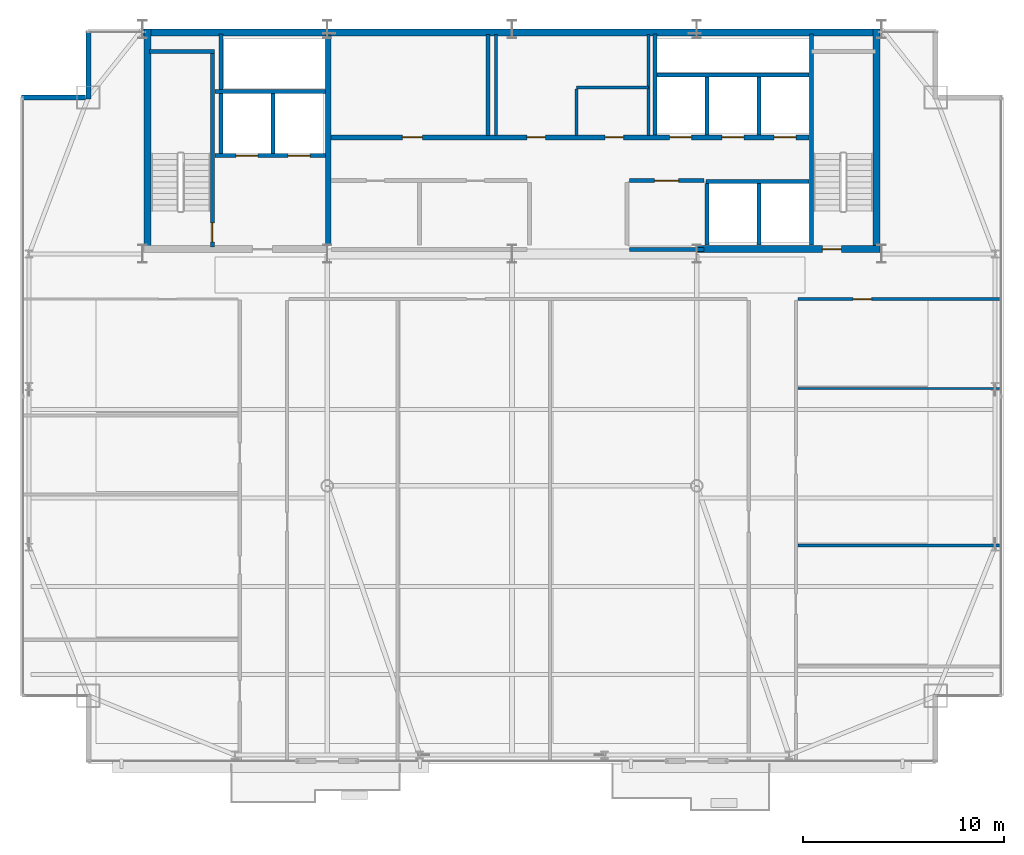
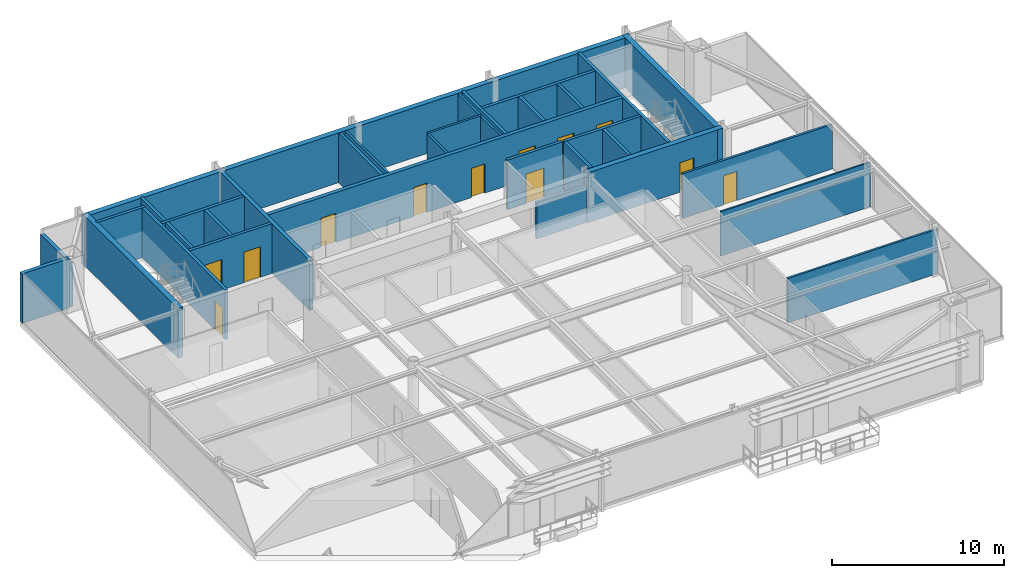
# One storey, part 27 of 30: 32 walls, 12 doors, 12 openings.
"""IFC4 building model written with IfcOpenShell, lengths in metres."""

from ifc_helpers import new_model, si_unit, direction, frame, frame_2d, origin, place, context, subcontext, project, spatial, rectangle, extrude, source, transform, mapped, material, layer, layer_set, type_object, type_shapes, element, fill, save


model = new_model("IFC4")

# Units and contexts
model_context = context("Model", 3, precision=1e-05, world=origin(), true_north=direction((0.0, 1.0)))
body_context = subcontext(model_context, "Body", "Model", "MODEL_VIEW")
ifc_project = project(units=[si_unit("LENGTHUNIT", "METRE"), si_unit("AREAUNIT", "SQUARE_METRE"), si_unit("VOLUMEUNIT", "CUBIC_METRE"), si_unit("PLANEANGLEUNIT", "RADIAN"), si_unit("MASSUNIT", "GRAM", prefix="KILO")], contexts=[model_context])

# Site, building, storey
site_placement = place(None, origin())
site = spatial("IfcSite", under=ifc_project, at=site_placement, CompositionType="ELEMENT")
building_placement = place(site_placement, origin())
building = spatial("IfcBuilding", under=site, at=building_placement, Name="Varnel Quay Broadcast Tower", CompositionType="ELEMENT")
storey_placement = place(building_placement, frame((0.0, 0.0, 211.199951171875)))
storey = spatial("IfcBuildingStorey", under=building, at=storey_placement, Name="L52", CompositionType="ELEMENT", Elevation=211.199951171875)

# Wall, opening, door
ifc_material_1 = material(Name="Concrete CSA A23.3 C50/60", Category="concrete")
ifc_layer_1 = layer(ifc_material_1, 0.199951171875, Name="Concrete CSA A23.3 C50/60")
ifc_layer_set_1 = layer_set([ifc_layer_1], Name="Concrete CSA A23.3 C50/60")
wall_type_1 = type_object("IfcWallType", Name="Wall_CoreShaftShear200", PredefinedType="SHEAR", material=ifc_layer_set_1)
wall_1_placement = place(storey_placement, frame((19.080078125, 35.949951171875, 0.0), z_axis=(0.0, 0.0, 1.0), x_axis=(0.0, 1.0, 0.0)))
wall_1 = element("IfcWall", 1, at=wall_1_placement, inside=storey, type_object=wall_type_1, Name="L52 Stair 1 East Structural Wall", PredefinedType="SHEAR", context=body_context, shape_type="SweptSolid", body=[
    extrude(rectangle(XDim=9.650146484375, YDim=0.199951171875, at=frame_2d((4.8251953125, 0.0))), origin(), (0.0, 0.0, 1.0), 3.550048828125),
])
opening_1_placement = place(wall_1_placement, frame((0.25, 0.0, 0.0)))
opening_1 = element("IfcOpeningElement", 2, at=opening_1_placement, cuts=wall_1, Name="Opening D-L52-S1", PredefinedType="OPENING", context=body_context, shape_type="SweptSolid", body=[
    extrude(rectangle(XDim=0.949951171875, YDim=2.10009765625, at=frame_2d((0.47509765625, 1.050048828125))), frame((0.0, 0.10986328125, 0.0), z_axis=(0.0, -1.0, 0.0), x_axis=(1.0, 0.0, 0.0)), (0.0, 0.0, 1.0), 0.219970703125),
])
ifc_material_2 = material(Name="Insulated Fire-Rated Hollow Steel Door", Category="steel")
door_type_1 = type_object("IfcDoorType", Name="Door_FireStair950", OperationType="NOTDEFINED", PredefinedType="DOOR", material=ifc_material_2)
shared_shape_1 = source(origin(), body_context, "Body", "SweptSolid", [
    extrude(rectangle(XDim=0.949951171875, YDim=2.10009765625, at=frame_2d((0.47509765625, 1.050048828125))), frame((0.0, 0.02490234375, 0.0), z_axis=(0.0, -1.0, 0.0), x_axis=(1.0, 0.0, 0.0)), (0.0, 0.0, 1.0), 0.050048828125),
])
type_shapes(door_type_1, [shared_shape_1])
door_1_placement = place(opening_1_placement, origin())
door_1 = element("IfcDoor", 3, at=door_1_placement, inside=storey, type_object=door_type_1, Name="L52 Stair 1 Fire Door", OperationType="SINGLE_SWING_RIGHT", OverallHeight=2.10009765625, OverallWidth=0.949951171875, PredefinedType="DOOR", context=body_context, shape_type="MappedRepresentation", body=[
    mapped(shared_shape_1, transform((0.0, 0.0, 0.0), x_axis=(1.0, 0.0, 0.0), y_axis=(0.0, 1.0, 0.0), z_axis=(0.0, 0.0, 1.0), scale=1.0)),
])
fill(opening_1, door_1)

# Wall
wall_2_placement = place(storey_placement, frame((15.949951171875, 45.679931640625, 0.0), z_axis=(0.0, 0.0, 1.0), x_axis=(1.0, 0.0, 0.0)))
element("IfcWall", 4, at=wall_2_placement, inside=storey, type_object=wall_type_1, Name="L52 Stair 1 North Structural Wall", PredefinedType="SHEAR", context=body_context, shape_type="SweptSolid", body=[
    extrude(rectangle(XDim=3.22998046875, YDim=0.199951171875, at=frame_2d((1.614990234375, 0.0))), origin(), (0.0, 0.0, 1.0), 3.550048828125),
])

# Wall, openings, doors
wall_3_placement = place(storey_placement, frame((19.199951171875, 40.5, 0.0), z_axis=(0.0, 0.0, 1.0), x_axis=(1.0, 0.0, 0.0)))
wall_3 = element("IfcWall", 5, at=wall_3_placement, inside=storey, type_object=wall_type_1, Name="L52 Firefighter Lift Shaft Front Wall", PredefinedType="SHEAR", context=body_context, shape_type="SweptSolid", body=[
    extrude(rectangle(XDim=5.52001953125, YDim=0.199951171875, at=frame_2d((2.760009765625, 0.0))), origin(), (0.0, 0.0, 1.0), 3.550048828125),
])
opening_2_placement = place(wall_3_placement, frame((1.050048828125, 0.0, 0.0)))
opening_2 = element("IfcOpeningElement", 6, at=opening_2_placement, cuts=wall_3, Name="Opening LD-L52-FE1", PredefinedType="OPENING", context=body_context, shape_type="SweptSolid", body=[
    extrude(rectangle(XDim=1.10009765625, YDim=2.179931640625, at=frame_2d((0.550048828125, 1.08984375))), frame((0.0, 0.10986328125, 0.0), z_axis=(0.0, -1.0, 0.0), x_axis=(1.0, 0.0, 0.0)), (0.0, 0.0, 1.0), 0.219970703125),
])
opening_3_placement = place(wall_3_placement, frame((3.64990234375, 0.0, 0.0)))
opening_3 = element("IfcOpeningElement", 7, at=opening_3_placement, cuts=wall_3, Name="Opening LD-L52-FE2", PredefinedType="OPENING", context=body_context, shape_type="SweptSolid", body=[
    extrude(rectangle(XDim=1.10009765625, YDim=2.179931640625, at=frame_2d((0.550048828125, 1.08984375))), frame((0.0, 0.10986328125, 0.0), z_axis=(0.0, -1.0, 0.0), x_axis=(1.0, 0.0, 0.0)), (0.0, 0.0, 1.0), 0.219970703125),
])
ifc_material_3 = material(Name="Brushed Bronze-Stainless Lift Car & Sliding Doors", Category="steel")
door_type_2 = type_object("IfcDoorType", Name="Door_LiftLanding1100", OperationType="SLIDING_TO_LEFT", PredefinedType="DOOR", material=ifc_material_3)
shared_shape_2 = source(origin(), body_context, "Body", "SweptSolid", [
    extrude(rectangle(XDim=1.10009765625, YDim=2.179931640625, at=frame_2d((0.550048828125, 1.08984375))), frame((0.0, 0.02490234375, 0.0), z_axis=(0.0, -1.0, 0.0), x_axis=(1.0, 0.0, 0.0)), (0.0, 0.0, 1.0), 0.050048828125),
])
type_shapes(door_type_2, [shared_shape_2])
door_2_placement = place(opening_2_placement, frame((1.10009765625, 0.0, 0.0), z_axis=(0.0, 0.0, 1.0), x_axis=(-1.0, 0.0, 0.0)))
door_2 = element("IfcDoor", 8, at=door_2_placement, inside=storey, type_object=door_type_2, Name="L52 Firefighter Lift FE-01 Landing Door", OperationType="SLIDING_TO_LEFT", OverallHeight=2.179931640625, OverallWidth=1.10009765625, PredefinedType="DOOR", context=body_context, shape_type="MappedRepresentation", body=[
    mapped(shared_shape_2, transform((0.0, 0.0, 0.0), x_axis=(1.0, 0.0, 0.0), y_axis=(0.0, 1.0, 0.0), z_axis=(0.0, 0.0, 1.0), scale=1.0)),
])
fill(opening_2, door_2)
door_3_placement = place(opening_3_placement, frame((1.10009765625, 0.0, 0.0), z_axis=(0.0, 0.0, 1.0), x_axis=(-1.0, 0.0, 0.0)))
door_3 = element("IfcDoor", 9, at=door_3_placement, inside=storey, type_object=door_type_2, Name="L52 Firefighter Lift FE-02 Landing Door", OperationType="SLIDING_TO_RIGHT", OverallHeight=2.179931640625, OverallWidth=1.10009765625, PredefinedType="DOOR", context=body_context, shape_type="MappedRepresentation", body=[
    mapped(shared_shape_2, transform((0.0, 0.0, 0.0), x_axis=(1.0, 0.0, 0.0), y_axis=(0.0, 1.0, 0.0), z_axis=(0.0, 0.0, 1.0), scale=1.0)),
])
fill(opening_3, door_3)

# Walls
wall_4_placement = place(storey_placement, frame((19.199951171875, 43.699951171875, 0.0), z_axis=(0.0, 0.0, 1.0), x_axis=(1.0, 0.0, 0.0)))
element("IfcWall", 10, at=wall_4_placement, inside=storey, type_object=wall_type_1, Name="L52 Firefighter Lift Shaft Rear Wall", PredefinedType="SHEAR", context=body_context, shape_type="SweptSolid", body=[
    extrude(rectangle(XDim=5.52001953125, YDim=0.199951171875, at=frame_2d((2.760009765625, 0.0))), origin(), (0.0, 0.0, 1.0), 3.550048828125),
])
wall_5_placement = place(storey_placement, frame((22.10009765625, 40.60009765625, 0.0), z_axis=(0.0, 0.0, 1.0), x_axis=(0.0, 1.0, 0.0)))
element("IfcWall", 11, at=wall_5_placement, inside=storey, type_object=wall_type_1, Name="L52 Firefighter Lift Shaft Divider", PredefinedType="SHEAR", context=body_context, shape_type="SweptSolid", body=[
    extrude(rectangle(XDim=3.0, YDim=0.199951171875, at=frame_2d((1.5, 0.0))), origin(), (0.0, 0.0, 1.0), 3.550048828125),
])
wall_6_placement = place(storey_placement, frame((19.5, 40.60009765625, 0.0), z_axis=(0.0, 0.0, 1.0), x_axis=(0.0, 1.0, 0.0)))
element("IfcWall", 12, at=wall_6_placement, inside=storey, type_object=wall_type_1, Name="L52 Firefighter Lift Shaft West Wall", PredefinedType="SHEAR", context=body_context, shape_type="SweptSolid", body=[
    extrude(rectangle(XDim=5.949951171875, YDim=0.199951171875, at=frame_2d((2.97509765625, 0.0))), origin(), (0.0, 0.0, 1.0), 3.550048828125),
])
wall_7_placement = place(storey_placement, frame((48.919921875, 36.050048828125, 0.0), z_axis=(0.0, 0.0, 1.0), x_axis=(0.0, 1.0, 0.0)))
element("IfcWall", 13, at=wall_7_placement, inside=storey, type_object=wall_type_1, Name="L52 Stair 2 West Structural Wall", PredefinedType="SHEAR", context=body_context, shape_type="SweptSolid", body=[
    extrude(rectangle(XDim=10.5, YDim=0.199951171875, at=frame_2d((5.25, 0.0))), origin(), (0.0, 0.0, 1.0), 3.550048828125),
])
wall_8_placement = place(storey_placement, frame((41.219970703125, 44.5, 0.0), z_axis=(0.0, 0.0, 1.0), x_axis=(1.0, 0.0, 0.0)))
element("IfcWall", 14, at=wall_8_placement, inside=storey, type_object=wall_type_1, Name="L52 High-Rise Lift Shaft Rear Wall", PredefinedType="SHEAR", context=body_context, shape_type="SweptSolid", body=[
    extrude(rectangle(XDim=7.580078125, YDim=0.199951171875, at=frame_2d((3.7900390625, 0.0))), origin(), (0.0, 0.0, 1.0), 3.550048828125),
])
wall_9_placement = place(storey_placement, frame((41.1201171875, 41.530029296875, 0.0), z_axis=(0.0, 0.0, 1.0), x_axis=(0.0, 1.0, 0.0)))
element("IfcWall", 15, at=wall_9_placement, inside=storey, type_object=wall_type_1, Name="L52 High-Rise Lift Shaft Divider 1", PredefinedType="SHEAR", context=body_context, shape_type="SweptSolid", body=[
    extrude(rectangle(XDim=5.02001953125, YDim=0.199951171875, at=frame_2d((2.510009765625, 0.0))), origin(), (0.0, 0.0, 1.0), 3.550048828125),
])
for number, where, z_axis, x_axis, name in (
    (16, (43.699951171875, 41.530029296875, 0.0), (0.0, 0.0, 1.0), (0.0, 1.0, 0.0), "L52 High-Rise Lift Shaft Divider 2"),
    (17, (46.300048828125, 41.530029296875, 0.0), (0.0, 0.0, 1.0), (0.0, 1.0, 0.0), "L52 High-Rise Lift Shaft Divider 3"),
):
    element("IfcWall", number, at=place(storey_placement, frame(where, z_axis=z_axis, x_axis=x_axis)), inside=storey, type_object=wall_type_1, Name=name, PredefinedType="SHEAR", context=body_context, shape_type="SweptSolid", body=[
        extrude(rectangle(XDim=2.869873046875, YDim=0.199951171875, at=frame_2d((1.43505859375, 0.0))), origin(), (0.0, 0.0, 1.0), 3.550048828125),
    ])
for number, where, z_axis, x_axis, name in (
    (18, (43.699951171875, 36.050048828125, 0.0), (0.0, 0.0, 1.0), (0.0, 1.0, 0.0), "L52 Express Lift Shaft West Wall"),
    (19, (46.300048828125, 36.050048828125, 0.0), (0.0, 0.0, 1.0), (0.0, 1.0, 0.0), "L52 Express Lift Shaft Divider"),
):
    element("IfcWall", number, at=place(storey_placement, frame(where, z_axis=z_axis, x_axis=x_axis)), inside=storey, type_object=wall_type_1, Name=name, PredefinedType="SHEAR", context=body_context, shape_type="SweptSolid", body=[
        extrude(rectangle(XDim=3.050048828125, YDim=0.199951171875, at=frame_2d((1.52490234375, 0.0))), origin(), (0.0, 0.0, 1.0), 3.550048828125),
    ])
wall_10_placement = place(storey_placement, frame((43.64990234375, 39.199951171875, 0.0), z_axis=(0.0, 0.0, 1.0), x_axis=(1.0, 0.0, 0.0)))
element("IfcWall", 20, at=wall_10_placement, inside=storey, type_object=wall_type_1, Name="L52 Express Lift Shaft North Front Wall", PredefinedType="SHEAR", context=body_context, shape_type="SweptSolid", body=[
    extrude(rectangle(XDim=5.150146484375, YDim=0.199951171875, at=frame_2d((2.5751953125, 0.0))), origin(), (0.0, 0.0, 1.0), 3.550048828125),
])
ifc_layer_2 = layer(ifc_material_1, 0.25, Name="Concrete CSA A23.3 C50/60")
ifc_layer_set_2 = layer_set([ifc_layer_2], Name="Concrete CSA A23.3 C50/60")
wall_type_2 = type_object("IfcWallType", Name="Wall_CoreShaftShear250", PredefinedType="SHEAR", material=ifc_layer_set_2)
wall_11_placement = place(storey_placement, frame((24.85009765625, 36.050048828125, 0.0), z_axis=(0.0, 0.0, 1.0), x_axis=(0.0, 1.0, 0.0)))
element("IfcWall", 21, at=wall_11_placement, inside=storey, type_object=wall_type_2, Name="L52 Firefighting Lobby East Structural Wall", PredefinedType="SHEAR", context=body_context, shape_type="SweptSolid", body=[
    extrude(rectangle(XDim=10.449951171875, YDim=0.25, at=frame_2d((5.22509765625, 0.0))), origin(), (0.0, 0.0, 1.0), 3.550048828125),
])

# Wall, openings, doors
wall_12_placement = place(storey_placement, frame((24.97998046875, 41.39990234375, 0.0), z_axis=(0.0, 0.0, 1.0), x_axis=(1.0, 0.0, 0.0)))
wall_12 = element("IfcWall", 22, at=wall_12_placement, inside=storey, type_object=wall_type_2, Name="L52 North Lift Bank & Reclaimed Suite Wall", PredefinedType="SHEAR", context=body_context, shape_type="SweptSolid", body=[
    extrude(rectangle(XDim=23.820068359375, YDim=0.25, at=frame_2d((11.91015625, 0.0))), origin(), (0.0, 0.0, 1.0), 3.550048828125),
])
opening_4_placement = place(wall_12_placement, frame((16.8701171875, 0.0, 0.0)))
opening_4 = element("IfcOpeningElement", 23, at=opening_4_placement, cuts=wall_12, Name="Opening LD-L52-PH-01", PredefinedType="OPENING", context=body_context, shape_type="SweptSolid", body=[
    extrude(rectangle(XDim=1.10009765625, YDim=2.179931640625, at=frame_2d((0.550048828125, 1.08984375))), frame((0.0, 0.135009765625, 0.0), z_axis=(0.0, -1.0, 0.0), x_axis=(1.0, 0.0, 0.0)), (0.0, 0.0, 1.0), 0.27001953125),
])
opening_5_placement = place(wall_12_placement, frame((19.469970703125, 0.0, 0.0)))
opening_5 = element("IfcOpeningElement", 24, at=opening_5_placement, cuts=wall_12, Name="Opening LD-L52-PH-02", PredefinedType="OPENING", context=body_context, shape_type="SweptSolid", body=[
    extrude(rectangle(XDim=1.10009765625, YDim=2.179931640625, at=frame_2d((0.550048828125, 1.08984375))), frame((0.0, 0.135009765625, 0.0), z_axis=(0.0, -1.0, 0.0), x_axis=(1.0, 0.0, 0.0)), (0.0, 0.0, 1.0), 0.27001953125),
])
opening_6_placement = place(wall_12_placement, frame((22.070068359375, 0.0, 0.0)))
opening_6 = element("IfcOpeningElement", 25, at=opening_6_placement, cuts=wall_12, Name="Opening LD-L52-PH-03", PredefinedType="OPENING", context=body_context, shape_type="SweptSolid", body=[
    extrude(rectangle(XDim=1.10009765625, YDim=2.179931640625, at=frame_2d((0.550048828125, 1.08984375))), frame((0.0, 0.135009765625, 0.0), z_axis=(0.0, -1.0, 0.0), x_axis=(1.0, 0.0, 0.0)), (0.0, 0.0, 1.0), 0.27001953125),
])
opening_7_placement = place(wall_12_placement, frame((3.56005859375, 0.0, 0.0)))
opening_7 = element("IfcOpeningElement", 26, at=opening_7_placement, cuts=wall_12, Name="Opening D-L52-RECA1", PredefinedType="OPENING", context=body_context, shape_type="SweptSolid", body=[
    extrude(rectangle(XDim=1.0, YDim=2.080078125, at=frame_2d((0.5, 1.0400390625))), frame((0.0, 0.135009765625, 0.0), z_axis=(0.0, -1.0, 0.0), x_axis=(1.0, 0.0, 0.0)), (0.0, 0.0, 1.0), 0.27001953125),
])
opening_8_placement = place(wall_12_placement, frame((9.760009765625, 0.0, 0.0)))
opening_8 = element("IfcOpeningElement", 27, at=opening_8_placement, cuts=wall_12, Name="Opening D-L52-RECB1", PredefinedType="OPENING", context=body_context, shape_type="SweptSolid", body=[
    extrude(rectangle(XDim=0.919921875, YDim=2.080078125, at=frame_2d((0.4599609375, 1.0400390625))), frame((0.0, 0.135009765625, 0.0), z_axis=(0.0, -1.0, 0.0), x_axis=(1.0, 0.0, 0.0)), (0.0, 0.0, 1.0), 0.27001953125),
])
opening_9_placement = place(wall_12_placement, frame((13.659912109375, 0.0, 0.0)))
opening_9 = element("IfcOpeningElement", 28, at=opening_9_placement, cuts=wall_12, Name="Opening D-L52-RECB2", PredefinedType="OPENING", context=body_context, shape_type="SweptSolid", body=[
    extrude(rectangle(XDim=0.919921875, YDim=2.080078125, at=frame_2d((0.4599609375, 1.0400390625))), frame((0.0, 0.135009765625, 0.0), z_axis=(0.0, -1.0, 0.0), x_axis=(1.0, 0.0, 0.0)), (0.0, 0.0, 1.0), 0.27001953125),
])
door_4_placement = place(opening_4_placement, frame((1.10009765625, 0.0, 0.0), z_axis=(0.0, 0.0, 1.0), x_axis=(-1.0, 0.0, 0.0)))
door_4 = element("IfcDoor", 29, at=door_4_placement, inside=storey, type_object=door_type_2, Name="L52 Lift PH-01 Landing Door", OperationType="SLIDING_TO_LEFT", OverallHeight=2.179931640625, OverallWidth=1.10009765625, PredefinedType="DOOR", context=body_context, shape_type="MappedRepresentation", body=[
    mapped(shared_shape_2, transform((0.0, 0.0, 0.0), x_axis=(1.0, 0.0, 0.0), y_axis=(0.0, 1.0, 0.0), z_axis=(0.0, 0.0, 1.0), scale=1.0)),
])
fill(opening_4, door_4)
door_5_placement = place(opening_5_placement, frame((1.10009765625, 0.0, 0.0), z_axis=(0.0, 0.0, 1.0), x_axis=(-1.0, 0.0, 0.0)))
door_5 = element("IfcDoor", 30, at=door_5_placement, inside=storey, type_object=door_type_2, Name="L52 Lift PH-02 Landing Door", OperationType="SLIDING_TO_LEFT", OverallHeight=2.179931640625, OverallWidth=1.10009765625, PredefinedType="DOOR", context=body_context, shape_type="MappedRepresentation", body=[
    mapped(shared_shape_2, transform((0.0, 0.0, 0.0), x_axis=(1.0, 0.0, 0.0), y_axis=(0.0, 1.0, 0.0), z_axis=(0.0, 0.0, 1.0), scale=1.0)),
])
fill(opening_5, door_5)
door_6_placement = place(opening_6_placement, frame((1.10009765625, 0.0, 0.0), z_axis=(0.0, 0.0, 1.0), x_axis=(-1.0, 0.0, 0.0)))
door_6 = element("IfcDoor", 31, at=door_6_placement, inside=storey, type_object=door_type_2, Name="L52 Lift PH-03 Landing Door", OperationType="SLIDING_TO_LEFT", OverallHeight=2.179931640625, OverallWidth=1.10009765625, PredefinedType="DOOR", context=body_context, shape_type="MappedRepresentation", body=[
    mapped(shared_shape_2, transform((0.0, 0.0, 0.0), x_axis=(1.0, 0.0, 0.0), y_axis=(0.0, 1.0, 0.0), z_axis=(0.0, 0.0, 1.0), scale=1.0)),
])
fill(opening_6, door_6)
door_type_3 = type_object("IfcDoorType", Name="Door_FireLobby1000", OperationType="NOTDEFINED", PredefinedType="DOOR", material=ifc_material_2)
shared_shape_3 = source(origin(), body_context, "Body", "SweptSolid", [
    extrude(rectangle(XDim=1.0, YDim=2.080078125, at=frame_2d((0.5, 1.0400390625))), frame((0.0, 0.02490234375, 0.0), z_axis=(0.0, -1.0, 0.0), x_axis=(1.0, 0.0, 0.0)), (0.0, 0.0, 1.0), 0.050048828125),
])
type_shapes(door_type_3, [shared_shape_3])
door_7_placement = place(opening_7_placement, origin())
door_7 = element("IfcDoor", 32, at=door_7_placement, inside=storey, type_object=door_type_3, Name="L52 Broadcast Ingest Server Hall Door", OperationType="SINGLE_SWING_LEFT", OverallHeight=2.080078125, OverallWidth=1.0, PredefinedType="DOOR", context=body_context, shape_type="MappedRepresentation", body=[
    mapped(shared_shape_3, transform((0.0, 0.0, 0.0), x_axis=(1.0, 0.0, 0.0), y_axis=(0.0, 1.0, 0.0), z_axis=(0.0, 0.0, 1.0), scale=1.0)),
])
fill(opening_7, door_7)
ifc_material_4 = material(Name="Solid-Core Fire-Rated Acoustic Oak Veneer Door", Category="wood")
door_type_4 = type_object("IfcDoorType", Name="Door_Office920", OperationType="NOTDEFINED", PredefinedType="DOOR", material=ifc_material_4)
shared_shape_4 = source(origin(), body_context, "Body", "SweptSolid", [
    extrude(rectangle(XDim=0.919921875, YDim=2.080078125, at=frame_2d((0.4599609375, 1.0400390625))), frame((0.0, 0.02490234375, 0.0), z_axis=(0.0, -1.0, 0.0), x_axis=(1.0, 0.0, 0.0)), (0.0, 0.0, 1.0), 0.050048828125),
])
type_shapes(door_type_4, [shared_shape_4])
door_8_placement = place(opening_8_placement, origin())
door_8 = element("IfcDoor", 33, at=door_8_placement, inside=storey, type_object=door_type_4, Name="L52 Acoustic Rack & Patch Suite Door", OperationType="SINGLE_SWING_RIGHT", OverallHeight=2.080078125, OverallWidth=0.919921875, PredefinedType="DOOR", context=body_context, shape_type="MappedRepresentation", body=[
    mapped(shared_shape_4, transform((0.0, 0.0, 0.0), x_axis=(1.0, 0.0, 0.0), y_axis=(0.0, 1.0, 0.0), z_axis=(0.0, 0.0, 1.0), scale=1.0)),
])
fill(opening_8, door_8)
door_9_placement = place(opening_9_placement, origin())
door_9 = element("IfcDoor", 34, at=door_9_placement, inside=storey, type_object=door_type_4, Name="L52 Production Tea Pantry Door", OperationType="SINGLE_SWING_LEFT", OverallHeight=2.080078125, OverallWidth=0.919921875, PredefinedType="DOOR", context=body_context, shape_type="MappedRepresentation", body=[
    mapped(shared_shape_4, transform((0.0, 0.0, 0.0), x_axis=(1.0, 0.0, 0.0), y_axis=(0.0, 1.0, 0.0), z_axis=(0.0, 0.0, 1.0), scale=1.0)),
])
fill(opening_9, door_9)

# Walls
ifc_layer_3 = layer(ifc_material_1, 0.35009765625, Name="Concrete CSA A23.3 C50/60")
ifc_layer_set_3 = layer_set([ifc_layer_3], Name="Concrete CSA A23.3 C50/60")
wall_type_3 = type_object("IfcWallType", Name="Wall_CoreShearExt350", PredefinedType="SHEAR", material=ifc_layer_set_3)
wall_13_placement = place(storey_placement, frame((15.60009765625, 46.625, 0.0), z_axis=(0.0, 0.0, 1.0), x_axis=(1.0, 0.0, 0.0)))
element("IfcWall", 35, at=wall_13_placement, inside=storey, type_object=wall_type_3, Name="L52 North Core Shear Wall", PredefinedType="SHEAR", context=body_context, shape_type="SweptSolid", body=[
    extrude(rectangle(XDim=36.7998046875, YDim=0.35009765625, at=frame_2d((18.39990234375, 0.0))), origin(), (0.0, 0.0, 1.0), 3.550048828125),
])
ifc_layer_4 = layer(ifc_material_1, 0.35009765625, Name="Concrete CSA A23.3 C50/60")
ifc_layer_set_4 = layer_set([ifc_layer_4], Name="Concrete CSA A23.3 C50/60")
wall_type_4 = type_object("IfcWallType", Name="Wall_CoreShearInt350", PredefinedType="SHEAR", material=ifc_layer_set_4)
for number, where, z_axis, x_axis, name in (
    (36, (15.844970703125, 35.669921875, 0.0), (0.0, 0.0, 1.0), (0.0, 1.0, 0.0), "L52 West Core Shear Wall"),
    (37, (52.155029296875, 35.669921875, 0.0), (0.0, 0.0, 1.0), (0.0, 1.0, 0.0), "L52 East Core Shear Wall"),
):
    element("IfcWall", number, at=place(storey_placement, frame(where, z_axis=z_axis, x_axis=x_axis)), inside=storey, type_object=wall_type_4, Name=name, PredefinedType="SHEAR", context=body_context, shape_type="SweptSolid", body=[
        extrude(rectangle(XDim=11.130126953125, YDim=0.35009765625, at=frame_2d((5.56494140625, 0.0))), origin(), (0.0, 0.0, 1.0), 3.550048828125),
    ])

# Wall, opening, door
wall_14_placement = place(storey_placement, frame((43.199951171875, 35.844970703125, 0.0), z_axis=(0.0, 0.0, 1.0), x_axis=(1.0, 0.0, 0.0)))
wall_14 = element("IfcWall", 38, at=wall_14_placement, inside=storey, type_object=wall_type_4, Name="L52 South-East Core Shear Wall", PredefinedType="SHEAR", context=body_context, shape_type="SweptSolid", body=[
    extrude(rectangle(XDim=9.130126953125, YDim=0.35009765625, at=frame_2d((4.56494140625, 0.0))), origin(), (0.0, 0.0, 1.0), 3.550048828125),
])
opening_10_placement = place(wall_14_placement, frame((6.25, 0.0, 0.0)))
opening_10 = element("IfcOpeningElement", 39, at=opening_10_placement, cuts=wall_14, Name="Opening D-L52-S2", PredefinedType="OPENING", context=body_context, shape_type="SweptSolid", body=[
    extrude(rectangle(XDim=0.949951171875, YDim=2.10009765625, at=frame_2d((0.47509765625, 1.050048828125))), frame((0.0, 0.18505859375, 0.0), z_axis=(0.0, -1.0, 0.0), x_axis=(1.0, 0.0, 0.0)), (0.0, 0.0, 1.0), 0.3701171875),
])
door_10_placement = place(opening_10_placement, origin())
door_10 = element("IfcDoor", 40, at=door_10_placement, inside=storey, type_object=door_type_1, Name="L52 Stair 2 Fire Door", OperationType="SINGLE_SWING_RIGHT", OverallHeight=2.10009765625, OverallWidth=0.949951171875, PredefinedType="DOOR", context=body_context, shape_type="MappedRepresentation", body=[
    mapped(shared_shape_1, transform((0.0, 0.0, 0.0), x_axis=(1.0, 0.0, 0.0), y_axis=(0.0, 1.0, 0.0), z_axis=(0.0, 0.0, 1.0), scale=1.0)),
])
fill(opening_10, door_10)

# Walls
ifc_material_5 = material(Name="Precast Architectural Concrete C40/50", Category="concrete")
ifc_layer_5 = layer(ifc_material_5, 0.25, Name="Precast Architectural Concrete C40/50")
ifc_layer_set_5 = layer_set([ifc_layer_5], Name="Precast Architectural Concrete C40/50")
wall_type_5 = type_object("IfcWallType", Name="Wall_ExtTerrace250", PredefinedType="SOLIDWALL", material=ifc_layer_set_5)
wall_15_placement = place(storey_placement, frame((9.580078125, 43.39990234375, 0.0), z_axis=(0.0, 0.0, 1.0), x_axis=(1.0, 0.0, 0.0)))
element("IfcWall", 41, at=wall_15_placement, inside=storey, type_object=wall_type_5, Name="L52 Mega-Column Notch Cladding Wall NNW1", PredefinedType="SOLIDWALL", context=body_context, shape_type="SweptSolid", body=[
    extrude(rectangle(XDim=3.18994140625, YDim=0.25, at=frame_2d((1.594970703125, 0.0))), origin(), (0.0, 0.0, 1.0), 3.530029296875),
])
wall_16_placement = place(storey_placement, frame((12.89990234375, 43.320068359375, 0.0), z_axis=(0.0, 0.0, 1.0), x_axis=(0.0, 1.0, 0.0)))
element("IfcWall", 42, at=wall_16_placement, inside=storey, type_object=wall_type_5, Name="L52 Mega-Column Notch Cladding Wall NNW2", PredefinedType="SOLIDWALL", context=body_context, shape_type="SweptSolid", body=[
    extrude(rectangle(XDim=3.39990234375, YDim=0.25, at=frame_2d((1.699951171875, 0.0))), origin(), (0.0, 0.0, 1.0), 3.171142578125),
])
ifc_material_6 = material(Name="Concrete Blockwork Fire Enclosure C40/50", Category="masonry")
ifc_layer_6 = layer(ifc_material_6, 0.199951171875, Name="Concrete Blockwork Fire Enclosure C40/50")
ifc_layer_set_6 = layer_set([ifc_layer_6], Name="Concrete Blockwork Fire Enclosure C40/50")
wall_type_6 = type_object("IfcWallType", Name="Wall_FireShaft200", PredefinedType="SOLIDWALL", material=ifc_layer_set_6)
wall_17_placement = place(storey_placement, frame((39.85009765625, 35.824951171875, 0.0), z_axis=(0.0, 0.0, 1.0), x_axis=(1.0, 0.0, 0.0)))
element("IfcWall", 43, at=wall_17_placement, inside=storey, type_object=wall_type_6, Name="L52 Electrical Sub-Distribution Closet Partition 5", PredefinedType="SOLIDWALL", context=body_context, shape_type="SweptSolid", body=[
    extrude(rectangle(XDim=3.699951171875, YDim=0.199951171875, at=frame_2d((1.85009765625, 0.0))), origin(), (0.0, 0.0, 1.0), 2.574951171875),
])

# Wall, opening, door
wall_18_placement = place(storey_placement, frame((39.85009765625, 39.25, 0.0), z_axis=(0.0, 0.0, 1.0), x_axis=(1.0, 0.0, 0.0)))
wall_18 = element("IfcWall", 44, at=wall_18_placement, inside=storey, type_object=wall_type_6, Name="L52 Electrical Sub-Distribution Closet Partition 6", PredefinedType="SOLIDWALL", context=body_context, shape_type="SweptSolid", body=[
    extrude(rectangle(XDim=3.699951171875, YDim=0.199951171875, at=frame_2d((1.85009765625, 0.0))), origin(), (0.0, 0.0, 1.0), 3.530029296875),
])
opening_11_placement = place(wall_18_placement, frame((1.25, 0.0, 0.0)))
opening_11 = element("IfcOpeningElement", 45, at=opening_11_placement, cuts=wall_18, Name="Opening D-L52-03", PredefinedType="OPENING", context=body_context, shape_type="SweptSolid", body=[
    extrude(rectangle(XDim=1.199951171875, YDim=2.10009765625, at=frame_2d((0.60009765625, 1.050048828125))), frame((0.0, 0.10986328125, 0.0), z_axis=(0.0, -1.0, 0.0), x_axis=(1.0, 0.0, 0.0)), (0.0, 0.0, 1.0), 0.219970703125),
])
door_type_5 = type_object("IfcDoorType", Name="Door_Plant1200", OperationType="NOTDEFINED", PredefinedType="DOOR", material=ifc_material_2)
shared_shape_5 = source(origin(), body_context, "Body", "SweptSolid", [
    extrude(rectangle(XDim=1.199951171875, YDim=2.10009765625, at=frame_2d((0.60009765625, 1.050048828125))), frame((0.0, 0.02490234375, 0.0), z_axis=(0.0, -1.0, 0.0), x_axis=(1.0, 0.0, 0.0)), (0.0, 0.0, 1.0), 0.050048828125),
])
type_shapes(door_type_5, [shared_shape_5])
door_11_placement = place(opening_11_placement, origin())
door_11 = element("IfcDoor", 46, at=door_11_placement, inside=storey, type_object=door_type_5, Name="L52 Electrical Sub-Distribution Closet Door D-L52-03", OperationType="SINGLE_SWING_RIGHT", OverallHeight=2.10009765625, OverallWidth=1.199951171875, PredefinedType="DOOR", context=body_context, shape_type="MappedRepresentation", body=[
    mapped(shared_shape_5, transform((0.0, 0.0, 0.0), x_axis=(1.0, 0.0, 0.0), y_axis=(0.0, 1.0, 0.0), z_axis=(0.0, 0.0, 1.0), scale=1.0)),
])
fill(opening_11, door_11)

# Walls
wall_19_placement = place(storey_placement, frame((32.800048828125, 41.5, 0.0), z_axis=(0.0, 0.0, 1.0), x_axis=(0.0, 1.0, 0.0)))
element("IfcWall", 47, at=wall_19_placement, inside=storey, type_object=wall_type_6, Name="L52 Broadcast Ingest Server Hall Partition 23", PredefinedType="SOLIDWALL", context=body_context, shape_type="SweptSolid", body=[
    extrude(rectangle(XDim=5.02001953125, YDim=0.199951171875, at=frame_2d((2.510009765625, 0.0))), origin(), (0.0, 0.0, 1.0), 3.530029296875),
])
ifc_material_7 = material(Name="Steel-Stud Fire-Rated Acoustic Gypsum Partition Assembly", Category="steel")
ifc_layer_7 = layer(ifc_material_7, 0.10498046875, Name="Steel-Stud Fire-Rated Acoustic Gypsum Partition Assembly")
ifc_layer_set_7 = layer_set([ifc_layer_7], Name="Steel-Stud Fire-Rated Acoustic Gypsum Partition Assembly")
wall_type_7 = type_object("IfcWallType", Name="Wall_Partition105", PredefinedType="PARTITIONING", material=ifc_layer_set_7)
wall_20_placement = place(storey_placement, frame((48.239990234375, 28.89990234375, 0.0), z_axis=(0.0, 0.0, 1.0), x_axis=(1.0, 0.0, 0.0)))
element("IfcWall", 48, at=wall_20_placement, inside=storey, type_object=wall_type_7, Name="L52 Camera Locker Store 10 Partition 21", PredefinedType="PARTITIONING", context=body_context, shape_type="SweptSolid", body=[
    extrude(rectangle(XDim=10.080078125, YDim=0.10498046875, at=frame_2d((5.0400390625, 0.0))), origin(), (0.0, 0.0, 1.0), 3.171142578125),
])
ifc_layer_8 = layer(ifc_material_7, 0.139892578125, Name="Steel-Stud Fire-Rated Acoustic Gypsum Partition Assembly")
ifc_layer_set_8 = layer_set([ifc_layer_8], Name="Steel-Stud Fire-Rated Acoustic Gypsum Partition Assembly")
wall_type_8 = type_object("IfcWallType", Name="Wall_Partition140", PredefinedType="PARTITIONING", material=ifc_layer_set_8)
wall_21_placement = place(storey_placement, frame((48.239990234375, 21.080078125, 0.0), z_axis=(0.0, 0.0, 1.0), x_axis=(1.0, 0.0, 0.0)))
element("IfcWall", 49, at=wall_21_placement, inside=storey, type_object=wall_type_8, Name="L52 Press Green Lounge 9 Partition 20", PredefinedType="PARTITIONING", context=body_context, shape_type="SweptSolid", body=[
    extrude(rectangle(XDim=10.080078125, YDim=0.139892578125, at=frame_2d((5.0400390625, 0.0))), origin(), (0.0, 0.0, 1.0), 3.171142578125),
])

# Wall, opening, door
ifc_layer_9 = layer(ifc_material_7, 0.14990234375, Name="Steel-Stud Fire-Rated Acoustic Gypsum Partition Assembly")
ifc_layer_set_9 = layer_set([ifc_layer_9], Name="Steel-Stud Fire-Rated Acoustic Gypsum Partition Assembly")
wall_type_9 = type_object("IfcWallType", Name="Wall_Partition150", PredefinedType="PARTITIONING", material=ifc_layer_set_9)
wall_22_placement = place(storey_placement, frame((48.239990234375, 33.35009765625, 0.0), z_axis=(0.0, 0.0, 1.0), x_axis=(1.0, 0.0, 0.0)))
wall_22 = element("IfcWall", 50, at=wall_22_placement, inside=storey, type_object=wall_type_9, Name="L52 Broadcast Newsroom 11 Partition 22", PredefinedType="PARTITIONING", context=body_context, shape_type="SweptSolid", body=[
    extrude(rectangle(XDim=10.080078125, YDim=0.14990234375, at=frame_2d((5.0400390625, 0.0))), origin(), (0.0, 0.0, 1.0), 3.171142578125),
])
opening_12_placement = place(wall_22_placement, frame((2.7451171875, 0.0, 0.0)))
opening_12 = element("IfcOpeningElement", 51, at=opening_12_placement, cuts=wall_22, Name="Opening D-L52-14", PredefinedType="OPENING", context=body_context, shape_type="SweptSolid", body=[
    extrude(rectangle(XDim=0.919921875, YDim=2.080078125, at=frame_2d((0.4599609375, 1.0400390625))), frame((0.0, 0.0849609375, 0.0), z_axis=(0.0, -1.0, 0.0), x_axis=(1.0, 0.0, 0.0)), (0.0, 0.0, 1.0), 0.169921875),
])
door_12_placement = place(opening_12_placement, frame((0.919921875, 0.0, 0.0), z_axis=(0.0, 0.0, 1.0), x_axis=(-1.0, 0.0, 0.0)))
door_12 = element("IfcDoor", 52, at=door_12_placement, inside=storey, type_object=door_type_4, Name="L52 Broadcast Newsroom 11 Door D-L52-14", OperationType="SINGLE_SWING_LEFT", OverallHeight=2.080078125, OverallWidth=0.919921875, PredefinedType="DOOR", context=body_context, shape_type="MappedRepresentation", body=[
    mapped(shared_shape_4, transform((0.0, 0.0, 0.0), x_axis=(1.0, 0.0, 0.0), y_axis=(0.0, 1.0, 0.0), z_axis=(0.0, 0.0, 1.0), scale=1.0)),
])
fill(opening_12, door_12)

# Walls
wall_23_placement = place(storey_placement, frame((37.199951171875, 41.5, 0.0), z_axis=(0.0, 0.0, 1.0), x_axis=(0.0, 1.0, 0.0)))
element("IfcWall", 53, at=wall_23_placement, inside=storey, type_object=wall_type_9, Name="L52 Acoustic Rack & Patch Suite Partition 24", PredefinedType="PARTITIONING", context=body_context, shape_type="SweptSolid", body=[
    extrude(rectangle(XDim=2.324951171875, YDim=0.14990234375, at=frame_2d((1.16259765625, 0.0))), origin(), (0.0, 0.0, 1.0), 3.530029296875),
])
wall_24_placement = place(storey_placement, frame((37.199951171875, 43.89990234375, 0.0), z_axis=(0.0, 0.0, 1.0), x_axis=(1.0, 0.0, 0.0)))
element("IfcWall", 54, at=wall_24_placement, inside=storey, type_object=wall_type_9, Name="L52 Acoustic Rack & Patch Suite Partition 25", PredefinedType="PARTITIONING", context=body_context, shape_type="SweptSolid", body=[
    extrude(rectangle(XDim=3.60009765625, YDim=0.14990234375, at=frame_2d((1.800048828125, 0.0))), origin(), (0.0, 0.0, 1.0), 3.530029296875),
])
for number, where, z_axis, x_axis, name in (
    (55, (40.800048828125, 41.5, 0.0), (0.0, 0.0, 1.0), (0.0, 1.0, 0.0), "L52 Acoustic Rack & Patch Suite Partition 26"),
    (56, (33.199951171875, 41.5, 0.0), (0.0, 0.0, 1.0), (0.0, 1.0, 0.0), "L52 Acoustic Rack & Patch Suite Partition 27"),
):
    element("IfcWall", number, at=place(storey_placement, frame(where, z_axis=z_axis, x_axis=x_axis)), inside=storey, type_object=wall_type_9, Name=name, PredefinedType="PARTITIONING", context=body_context, shape_type="SweptSolid", body=[
        extrude(rectangle(XDim=5.02001953125, YDim=0.14990234375, at=frame_2d((2.510009765625, 0.0))), origin(), (0.0, 0.0, 1.0), 3.530029296875),
    ])

save(model, "model.ifc")
